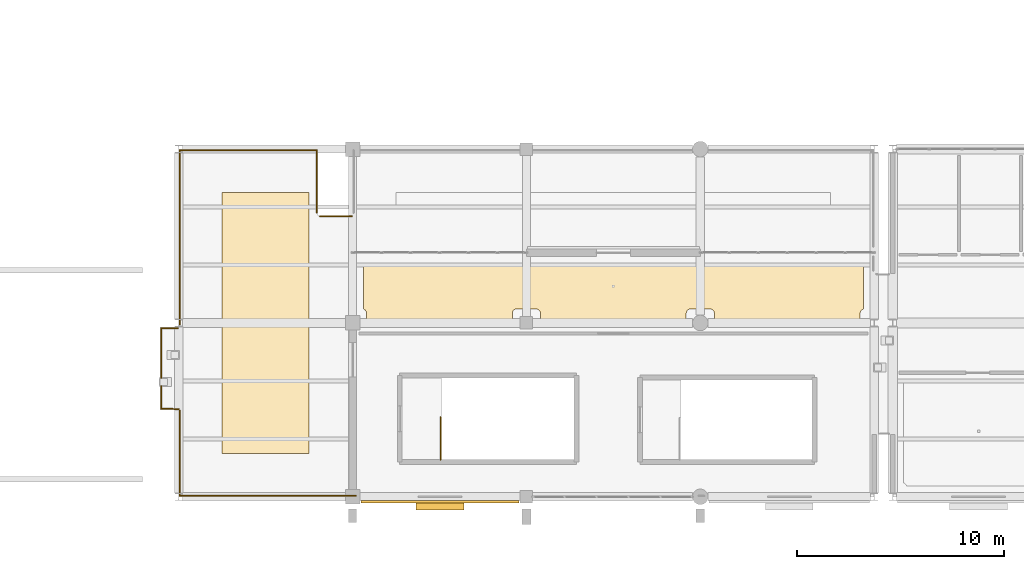
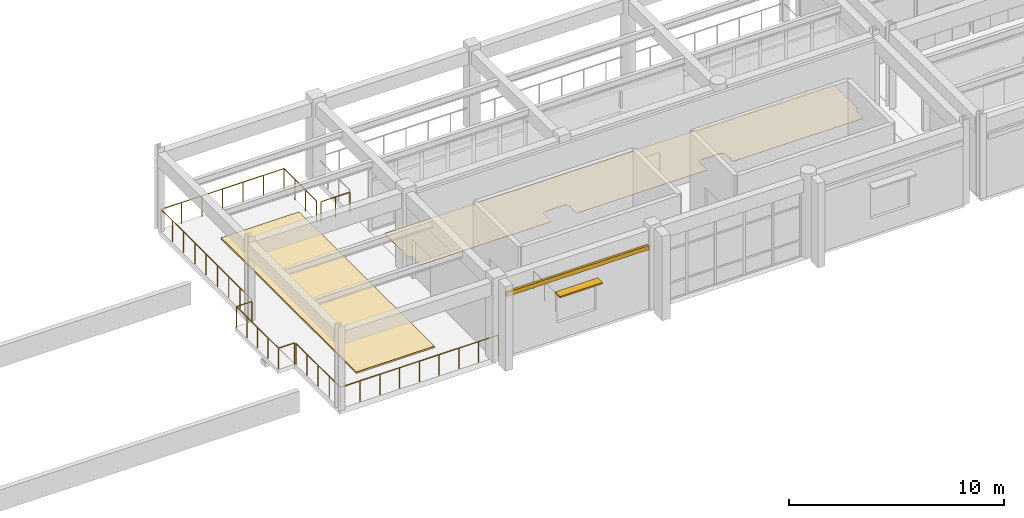
# One storey, part 121 of 139: 10 railings, 3 coverings, 1 shading device.
"""IFC4 building model written with IfcOpenShell, lengths in metres."""

from ifc_helpers import new_model, si_unit, direction, frame, origin, origin_2d, place, context, subcontext, project, spatial, polyline, rectangle, circle, outline, extrude, material, layer, layer_set, type_object, element, save


model = new_model("IFC4")

# Units and contexts
model_context = context("Model", 3, precision=1e-05, world=origin(), true_north=direction((0.0, 1.0)))
body_context = subcontext(model_context, "Body", "Model", "MODEL_VIEW")
ifc_project = project(units=[si_unit("LENGTHUNIT", "METRE"), si_unit("AREAUNIT", "SQUARE_METRE"), si_unit("VOLUMEUNIT", "CUBIC_METRE"), si_unit("PLANEANGLEUNIT", "RADIAN"), si_unit("MASSUNIT", "GRAM", prefix="KILO")], contexts=[model_context])

# Site, building, storey
site_placement = place(None, origin())
site = spatial("IfcSite", under=ifc_project, at=site_placement, CompositionType="ELEMENT")
building_placement = place(site_placement, origin())
building = spatial("IfcBuilding", under=site, at=building_placement, Name="Canglan Escarpment Cableway Terminal", CompositionType="ELEMENT")
storey_placement = place(building_placement, frame((0.0, 0.0, 14.39990234375)))
storey = spatial("IfcBuildingStorey", under=building, at=storey_placement, Name="L03", CompositionType="ELEMENT", Elevation=14.39990234375)

# Coverings
ifc_material_1 = material(Name="Carved classical limestone cornice", Category="masonry")
ifc_layer_1 = layer(ifc_material_1, 0.1201171875, Name="Carved classical limestone cornice")
ifc_layer_set_1 = layer_set([ifc_layer_1], Name="Carved classical limestone cornice")
covering_type_1 = type_object("IfcCoveringType", Name="COV-CORNICE-STONE", PredefinedType="CLADDING", material=ifc_layer_set_1)
covering_1_placement = place(storey_placement, frame((89.625, 7.760009765625, 3.47509765625), z_axis=(0.0, 0.0, 1.0), x_axis=(1.0, 0.0, 0.0)))
element("IfcCovering", 1, at=covering_1_placement, inside=storey, type_object=covering_type_1, Name="Classical carved limestone cornice CL-01", PredefinedType="CLADDING", context=body_context, shape_type="SweptSolid", body=[
    extrude(rectangle(XDim=7.64990234375, YDim=0.1201171875, at=origin_2d()), origin(), (0.0, 0.0, 1.0), 0.239990234375),
])
ifc_material_2 = material(Name="Polished mineral terrazzo flooring", Category="concrete")
ifc_layer_2 = layer(ifc_material_2, 0.02001953125, Name="Polished mineral terrazzo flooring")
ifc_layer_set_2 = layer_set([ifc_layer_2], Name="Polished mineral terrazzo flooring")
covering_type_2 = type_object("IfcCoveringType", Name="COV-FLR-TERRAZZO-20", PredefinedType="FLOORING", material=ifc_layer_set_2)
covering_2_placement = place(storey_placement, origin())
element("IfcCovering", 2, at=covering_2_placement, inside=storey, type_object=covering_type_2, Name="Highland Photography Gallery stone floor finish", PredefinedType="FLOORING", context=body_context, shape_type="SweptSolid", body=[
    extrude(outline(polyline([(85.933349609375, 17.067138671875), (85.931396484375, 17.06787109375), (85.9296875, 17.06884765625), (85.92822265625, 17.06982421875), (85.9267578125, 17.071044921875), (85.92529296875, 17.072265625), (85.92431640625, 17.07373046875), (85.923095703125, 17.0751953125), (85.922119140625, 17.076904296875), (85.92138671875, 17.07861328125), (85.9208984375, 17.080322265625), (85.92041015625, 17.082275390625), (85.920166015625, 17.083984375), (85.919921875, 17.0859375), (85.919921875, 19.260009765625), (85.920166015625, 19.261962890625), (85.92041015625, 19.263916015625), (85.9208984375, 19.265869140625), (85.92138671875, 19.267578125), (85.92236328125, 19.269287109375), (85.92333984375, 19.27099609375), (85.924560546875, 19.272705078125), (85.92578125, 19.274169921875), (85.92724609375, 19.275390625), (85.928955078125, 19.276611328125), (85.9306640625, 19.277587890625), (85.932373046875, 19.278564453125), (85.93408203125, 19.279052734375), (85.93603515625, 19.279541015625), (85.93798828125, 19.27978515625), (85.93994140625, 19.280029296875), (110.06005859375, 19.280029296875), (110.06201171875, 19.27978515625), (110.06396484375, 19.279541015625), (110.06591796875, 19.279052734375), (110.067626953125, 19.278564453125), (110.0693359375, 19.277587890625), (110.071044921875, 19.276611328125), (110.07275390625, 19.275390625), (110.07421875, 19.274169921875), (110.075439453125, 19.272705078125), (110.07666015625, 19.27099609375), (110.07763671875, 19.269287109375), (110.07861328125, 19.267578125), (110.0791015625, 19.265869140625), (110.07958984375, 19.263916015625), (110.079833984375, 19.261962890625), (110.080078125, 19.260009765625), (110.080078125, 17.0859375), (110.079833984375, 17.083984375), (110.07958984375, 17.082275390625), (110.0791015625, 17.080322265625), (110.07861328125, 17.07861328125), (110.077880859375, 17.076904296875), (110.076904296875, 17.0751953125), (110.07568359375, 17.07373046875), (110.07470703125, 17.072265625), (110.0732421875, 17.071044921875), (110.07177734375, 17.06982421875), (110.0703125, 17.06884765625), (110.068603515625, 17.06787109375), (110.066650390625, 17.067138671875), (110.056396484375, 17.0634765625), (110.055419921875, 17.06298828125), (110.03662109375, 17.05419921875), (110.035888671875, 17.0537109375), (110.018310546875, 17.043212890625), (110.017333984375, 17.04248046875), (110.000732421875, 17.030517578125), (110.0, 17.02978515625), (109.98486328125, 17.015869140625), (109.984130859375, 17.01513671875), (109.97021484375, 17.0), (109.969482421875, 16.999267578125), (109.95751953125, 16.982666015625), (109.956787109375, 16.981689453125), (109.9462890625, 16.964111328125), (109.94580078125, 16.96337890625), (109.93701171875, 16.944580078125), (109.9365234375, 16.943603515625), (109.9296875, 16.92431640625), (109.929443359375, 16.92333984375), (109.92431640625, 16.9033203125), (109.92431640625, 16.90234375), (109.921142578125, 16.882080078125), (109.9208984375, 16.881103515625), (109.919921875, 16.860107421875), (109.919921875, 16.85986328125), (109.919921875, 16.239990234375), (109.919921875, 16.238037109375), (109.919677734375, 16.236083984375), (109.919189453125, 16.234130859375), (109.91845703125, 16.232421875), (109.91748046875, 16.230712890625), (109.91650390625, 16.22900390625), (109.91552734375, 16.227294921875), (109.9140625, 16.225830078125), (109.91259765625, 16.224609375), (109.9111328125, 16.223388671875), (109.909423828125, 16.222412109375), (109.90771484375, 16.221435546875), (109.90576171875, 16.220947265625), (109.90380859375, 16.220458984375), (109.902099609375, 16.22021484375), (109.89990234375, 16.219970703125), (102.89990234375, 16.219970703125), (102.89794921875, 16.22021484375), (102.89599609375, 16.220458984375), (102.894287109375, 16.220947265625), (102.892333984375, 16.221435546875), (102.890625, 16.222412109375), (102.888916015625, 16.223388671875), (102.88720703125, 16.224609375), (102.885986328125, 16.225830078125), (102.884521484375, 16.227294921875), (102.88330078125, 16.22900390625), (102.88232421875, 16.230712890625), (102.881591796875, 16.232421875), (102.880859375, 16.234130859375), (102.88037109375, 16.236083984375), (102.880126953125, 16.238037109375), (102.8798828125, 16.239990234375), (102.8798828125, 16.85986328125), (102.8798828125, 16.860107421875), (102.87890625, 16.881103515625), (102.87890625, 16.882080078125), (102.875732421875, 16.90234375), (102.875732421875, 16.9033203125), (102.87060546875, 16.92333984375), (102.870361328125, 16.92431640625), (102.86328125, 16.943603515625), (102.863037109375, 16.944580078125), (102.854248046875, 16.96337890625), (102.853759765625, 16.964111328125), (102.84326171875, 16.981689453125), (102.842529296875, 16.982666015625), (102.830322265625, 16.999267578125), (102.82958984375, 17.0), (102.81591796875, 17.01513671875), (102.815185546875, 17.015869140625), (102.7998046875, 17.02978515625), (102.79931640625, 17.030517578125), (102.78271484375, 17.04248046875), (102.78173828125, 17.043212890625), (102.76416015625, 17.0537109375), (102.76318359375, 17.05419921875), (102.74462890625, 17.06298828125), (102.74365234375, 17.0634765625), (102.724365234375, 17.0703125), (102.723388671875, 17.070556640625), (102.703369140625, 17.07568359375), (102.702392578125, 17.07568359375), (102.681884765625, 17.078857421875), (102.68115234375, 17.0791015625), (102.66015625, 17.080078125), (102.659912109375, 17.080078125), (101.740234375, 17.080078125), (101.73974609375, 17.080078125), (101.718994140625, 17.0791015625), (101.718017578125, 17.078857421875), (101.697509765625, 17.07568359375), (101.696533203125, 17.07568359375), (101.676513671875, 17.070556640625), (101.67578125, 17.0703125), (101.65625, 17.0634765625), (101.655517578125, 17.06298828125), (101.63671875, 17.05419921875), (101.635986328125, 17.0537109375), (101.6181640625, 17.043212890625), (101.617431640625, 17.04248046875), (101.600830078125, 17.030517578125), (101.60009765625, 17.02978515625), (101.584716796875, 17.015869140625), (101.583984375, 17.01513671875), (101.5703125, 17.0), (101.569580078125, 16.999267578125), (101.557373046875, 16.982666015625), (101.556884765625, 16.981689453125), (101.546142578125, 16.964111328125), (101.5458984375, 16.96337890625), (101.537109375, 16.944580078125), (101.53662109375, 16.943603515625), (101.529541015625, 16.92431640625), (101.529296875, 16.92333984375), (101.5244140625, 16.9033203125), (101.524169921875, 16.90234375), (101.52099609375, 16.882080078125), (101.52099609375, 16.881103515625), (101.52001953125, 16.860107421875), (101.52001953125, 16.85986328125), (101.52001953125, 16.239990234375), (101.52001953125, 16.238037109375), (101.51953125, 16.236083984375), (101.51904296875, 16.234130859375), (101.5185546875, 16.232421875), (101.517578125, 16.230712890625), (101.5166015625, 16.22900390625), (101.515380859375, 16.227294921875), (101.51416015625, 16.225830078125), (101.5126953125, 16.224609375), (101.510986328125, 16.223388671875), (101.509521484375, 16.222412109375), (101.5078125, 16.221435546875), (101.505859375, 16.220947265625), (101.50390625, 16.220458984375), (101.501953125, 16.22021484375), (101.5, 16.219970703125), (94.5, 16.219970703125), (94.498046875, 16.22021484375), (94.49609375, 16.220458984375), (94.494140625, 16.220947265625), (94.4921875, 16.221435546875), (94.490478515625, 16.222412109375), (94.489013671875, 16.223388671875), (94.4873046875, 16.224609375), (94.48583984375, 16.225830078125), (94.484619140625, 16.227294921875), (94.4833984375, 16.22900390625), (94.482421875, 16.230712890625), (94.4814453125, 16.232421875), (94.48095703125, 16.234130859375), (94.48046875, 16.236083984375), (94.47998046875, 16.238037109375), (94.47998046875, 16.239990234375), (94.47998046875, 16.85986328125), (94.47998046875, 16.860107421875), (94.47900390625, 16.881103515625), (94.47900390625, 16.882080078125), (94.475830078125, 16.90234375), (94.4755859375, 16.9033203125), (94.470703125, 16.92333984375), (94.470458984375, 16.92431640625), (94.46337890625, 16.943603515625), (94.462890625, 16.944580078125), (94.4541015625, 16.96337890625), (94.453857421875, 16.964111328125), (94.443115234375, 16.981689453125), (94.442626953125, 16.982666015625), (94.430419921875, 16.999267578125), (94.4296875, 17.0), (94.416015625, 17.01513671875), (94.415283203125, 17.015869140625), (94.39990234375, 17.02978515625), (94.399169921875, 17.030517578125), (94.382568359375, 17.04248046875), (94.3818359375, 17.043212890625), (94.364013671875, 17.0537109375), (94.36328125, 17.05419921875), (94.344482421875, 17.06298828125), (94.34375, 17.0634765625), (94.32421875, 17.0703125), (94.323486328125, 17.070556640625), (94.303466796875, 17.07568359375), (94.302490234375, 17.07568359375), (94.281982421875, 17.078857421875), (94.281005859375, 17.0791015625), (94.26025390625, 17.080078125), (94.259765625, 17.080078125), (93.340087890625, 17.080078125), (93.33984375, 17.080078125), (93.31884765625, 17.0791015625), (93.318115234375, 17.078857421875), (93.297607421875, 17.07568359375), (93.296630859375, 17.07568359375), (93.276611328125, 17.070556640625), (93.275634765625, 17.0703125), (93.25634765625, 17.0634765625), (93.25537109375, 17.06298828125), (93.23681640625, 17.05419921875), (93.23583984375, 17.0537109375), (93.21826171875, 17.043212890625), (93.21728515625, 17.04248046875), (93.20068359375, 17.030517578125), (93.2001953125, 17.02978515625), (93.184814453125, 17.015869140625), (93.18408203125, 17.01513671875), (93.17041015625, 17.0), (93.169677734375, 16.999267578125), (93.157470703125, 16.982666015625), (93.15673828125, 16.981689453125), (93.146240234375, 16.964111328125), (93.145751953125, 16.96337890625), (93.136962890625, 16.944580078125), (93.13671875, 16.943603515625), (93.129638671875, 16.92431640625), (93.12939453125, 16.92333984375), (93.124267578125, 16.9033203125), (93.124267578125, 16.90234375), (93.12109375, 16.882080078125), (93.12109375, 16.881103515625), (93.1201171875, 16.860107421875), (93.1201171875, 16.85986328125), (93.1201171875, 16.239990234375), (93.119873046875, 16.238037109375), (93.11962890625, 16.236083984375), (93.119140625, 16.234130859375), (93.118408203125, 16.232421875), (93.11767578125, 16.230712890625), (93.11669921875, 16.22900390625), (93.115478515625, 16.227294921875), (93.114013671875, 16.225830078125), (93.11279296875, 16.224609375), (93.111083984375, 16.223388671875), (93.109375, 16.222412109375), (93.107666015625, 16.221435546875), (93.105712890625, 16.220947265625), (93.10400390625, 16.220458984375), (93.10205078125, 16.22021484375), (93.10009765625, 16.219970703125), (86.10009765625, 16.219970703125), (86.097900390625, 16.22021484375), (86.09619140625, 16.220458984375), (86.09423828125, 16.220947265625), (86.09228515625, 16.221435546875), (86.090576171875, 16.222412109375), (86.0888671875, 16.223388671875), (86.08740234375, 16.224609375), (86.0859375, 16.225830078125), (86.08447265625, 16.227294921875), (86.08349609375, 16.22900390625), (86.08251953125, 16.230712890625), (86.08154296875, 16.232421875), (86.080810546875, 16.234130859375), (86.080322265625, 16.236083984375), (86.080078125, 16.238037109375), (86.080078125, 16.239990234375), (86.080078125, 16.85986328125), (86.080078125, 16.860107421875), (86.0791015625, 16.881103515625), (86.078857421875, 16.882080078125), (86.07568359375, 16.90234375), (86.07568359375, 16.9033203125), (86.070556640625, 16.92333984375), (86.0703125, 16.92431640625), (86.0634765625, 16.943603515625), (86.06298828125, 16.944580078125), (86.05419921875, 16.96337890625), (86.0537109375, 16.964111328125), (86.043212890625, 16.981689453125), (86.04248046875, 16.982666015625), (86.030517578125, 16.999267578125), (86.02978515625, 17.0), (86.015869140625, 17.01513671875), (86.01513671875, 17.015869140625), (86.0, 17.02978515625), (85.999267578125, 17.030517578125), (85.982666015625, 17.04248046875), (85.981689453125, 17.043212890625), (85.964111328125, 17.0537109375), (85.96337890625, 17.05419921875), (85.944580078125, 17.06298828125), (85.943603515625, 17.0634765625), (85.933349609375, 17.067138671875)])), origin(), (0.0, 0.0, 1.0), 0.02001953125),
])
ifc_material_3 = material(Name="Planted extensive sedum green roof assembly", Category="earth")
ifc_layer_3 = layer(ifc_material_3, 0.090087890625, Name="Planted extensive sedum green roof assembly")
ifc_layer_set_3 = layer_set([ifc_layer_3], Name="Planted extensive sedum green roof assembly")
covering_type_3 = type_object("IfcCoveringType", Name="COV-ROOF-GREEN", PredefinedType="ROOFING", material=ifc_layer_set_3)
covering_3_placement = place(storey_placement, frame((81.199951171875, 16.39990234375, 0.0), z_axis=(0.0, 0.0, 1.0), x_axis=(1.0, 0.0, 0.0)))
element("IfcCovering", 3, at=covering_3_placement, inside=storey, type_object=covering_type_3, Name="Planted extensive sedum green roof garden RF-G1", PredefinedType="ROOFING", context=body_context, shape_type="SweptSolid", body=[
    extrude(rectangle(XDim=4.199951171875, YDim=12.60009765625, at=origin_2d()), origin(), (0.0, 0.0, 1.0), 0.090087890625),
])

# Railings
ifc_material_4 = material(Name="Carved limestone and anodized bronze balustrade", Category="masonry")
railing_type_1 = type_object("IfcRailingType", Name="RL-EXT-BALUSTRADE-1200", PredefinedType="BALUSTRADE", material=ifc_material_4)
railing_1_placement = place(storey_placement, frame((76.150146484375, 12.25, 0.0)))
element("IfcRailing", 4, at=railing_1_placement, inside=storey, type_object=railing_type_1, Name="Classical terrace balustrade guard GD-01 (L03)", PredefinedType="BALUSTRADE", context=body_context, shape_type="SweptSolid", body=[
    extrude(circle(Radius=0.02392578125, at=origin_2d()), frame((0.0, 0.0, 1.17578125), z_axis=(-6.2633095e-05, 0.999999998039, 0.0), x_axis=(-0.999999998039, -6.2633095e-05, 0.0)), (0.0, 0.0, 1.0), 3.89794921875),
    extrude(circle(Radius=0.02099609375, at=origin_2d()), origin(), (0.0, 0.0, 1.0), 1.15185546875),
    extrude(circle(Radius=0.02099609375, at=origin_2d()), frame((0.0, 0.974609375, 0.0)), (0.0, 0.0, 1.0), 1.15185546875),
    extrude(circle(Radius=0.02099609375, at=origin_2d()), frame((0.0, 1.948974609375, 0.0)), (0.0, 0.0, 1.0), 1.15185546875),
    extrude(circle(Radius=0.02099609375, at=origin_2d()), frame((-0.000244140625, 2.92333984375, 0.0)), (0.0, 0.0, 1.0), 1.15185546875),
    extrude(circle(Radius=0.02099609375, at=origin_2d()), frame((-0.000244140625, 3.89794921875, 0.0)), (0.0, 0.0, 1.0), 1.15185546875),
])
railing_2_placement = place(storey_placement, frame((76.14990234375, 16.14794921875, 0.0)))
element("IfcRailing", 5, at=railing_2_placement, inside=storey, type_object=railing_type_1, Name="Classical terrace balustrade guard GD-01 (L03)", PredefinedType="BALUSTRADE", context=body_context, shape_type="SweptSolid", body=[
    extrude(circle(Radius=0.02392578125, at=origin_2d()), frame((0.0, 0.0, 1.17578125), z_axis=(0.999997163857, 0.002381654454, 0.0), x_axis=(-0.002381654454, 0.999997163857, 0.0)), (0.0, 0.0, 1.0), 0.820068359375),
    extrude(circle(Radius=0.02099609375, at=origin_2d()), origin(), (0.0, 0.0, 1.0), 1.15185546875),
    extrude(circle(Radius=0.02099609375, at=origin_2d()), frame((0.820068359375, 0.001953125, 0.0)), (0.0, 0.0, 1.0), 1.15185546875),
])
railing_3_placement = place(storey_placement, frame((77.050048828125, 16.330078125, 0.0)))
element("IfcRailing", 6, at=railing_3_placement, inside=storey, type_object=railing_type_1, Name="Classical terrace balustrade guard GD-01 (L03)", PredefinedType="BALUSTRADE", context=body_context, shape_type="SweptSolid", body=[
    extrude(circle(Radius=0.02392578125, at=origin_2d()), frame((0.0, 0.0, 1.17578125), z_axis=(0.0, 1.0, 0.0), x_axis=(-1.0, 0.0, 0.0)), (0.0, 0.0, 1.0), 8.41796875),
    extrude(circle(Radius=0.02099609375, at=origin_2d()), origin(), (0.0, 0.0, 1.0), 1.15185546875),
    extrude(circle(Radius=0.02099609375, at=origin_2d()), frame((0.0, 1.05224609375, 0.0)), (0.0, 0.0, 1.0), 1.15185546875),
    extrude(circle(Radius=0.02099609375, at=origin_2d()), frame((0.0, 2.1044921875, 0.0)), (0.0, 0.0, 1.0), 1.15185546875),
    extrude(circle(Radius=0.02099609375, at=origin_2d()), frame((0.0, 3.15673828125, 0.0)), (0.0, 0.0, 1.0), 1.15185546875),
    extrude(circle(Radius=0.02099609375, at=origin_2d()), frame((0.0, 4.208984375, 0.0)), (0.0, 0.0, 1.0), 1.15185546875),
    extrude(circle(Radius=0.02099609375, at=origin_2d()), frame((0.0, 5.26123046875, 0.0)), (0.0, 0.0, 1.0), 1.15185546875),
    extrude(circle(Radius=0.02099609375, at=origin_2d()), frame((0.0, 6.3134765625, 0.0)), (0.0, 0.0, 1.0), 1.15185546875),
    extrude(circle(Radius=0.02099609375, at=origin_2d()), frame((0.0, 7.36572265625, 0.0)), (0.0, 0.0, 1.0), 1.15185546875),
    extrude(circle(Radius=0.02099609375, at=origin_2d()), frame((0.0, 8.41796875, 0.0)), (0.0, 0.0, 1.0), 1.15185546875),
])
railing_4_placement = place(storey_placement, frame((77.050048828125, 24.748046875, 0.0)))
element("IfcRailing", 7, at=railing_4_placement, inside=storey, type_object=railing_type_1, Name="Classical terrace balustrade guard GD-01 (L03)", PredefinedType="BALUSTRADE", context=body_context, shape_type="SweptSolid", body=[
    extrude(circle(Radius=0.02392578125, at=origin_2d()), frame((0.0, 0.0, 1.17578125), z_axis=(0.99999995645, 0.000295126707, 0.0), x_axis=(-0.000295126707, 0.99999995645, 0.0)), (0.0, 0.0, 1.0), 6.617919921875),
    extrude(circle(Radius=0.02099609375, at=origin_2d()), origin(), (0.0, 0.0, 1.0), 1.15185546875),
    extrude(circle(Radius=0.02099609375, at=origin_2d()), frame((1.10302734375, 0.000244140625, 0.0)), (0.0, 0.0, 1.0), 1.15185546875),
    extrude(circle(Radius=0.02099609375, at=origin_2d()), frame((2.2060546875, 0.000732421875, 0.0)), (0.0, 0.0, 1.0), 1.15185546875),
    extrude(circle(Radius=0.02099609375, at=origin_2d()), frame((3.30908203125, 0.0009765625, 0.0)), (0.0, 0.0, 1.0), 1.15185546875),
    extrude(circle(Radius=0.02099609375, at=origin_2d()), frame((4.411865234375, 0.001220703125, 0.0)), (0.0, 0.0, 1.0), 1.15185546875),
    extrude(circle(Radius=0.02099609375, at=origin_2d()), frame((5.514892578125, 0.001708984375, 0.0)), (0.0, 0.0, 1.0), 1.15185546875),
    extrude(circle(Radius=0.02099609375, at=origin_2d()), frame((6.617919921875, 0.001953125, 0.0)), (0.0, 0.0, 1.0), 1.15185546875),
])
railing_5_placement = place(storey_placement, frame((83.66796875, 24.75, 0.0)))
element("IfcRailing", 8, at=railing_5_placement, inside=storey, type_object=railing_type_1, Name="Classical terrace balustrade guard GD-01 (L03)", PredefinedType="BALUSTRADE", context=body_context, shape_type="SweptSolid", body=[
    extrude(circle(Radius=0.02392578125, at=origin_2d()), frame((0.0, 0.0, 1.17578125), z_axis=(0.000646725815, -0.999999790873, 0.0), x_axis=(0.999999790873, 0.000646725815, 0.0)), (0.0, 0.0, 1.0), 3.02001953125),
    extrude(circle(Radius=0.02099609375, at=origin_2d()), origin(), (0.0, 0.0, 1.0), 1.15185546875),
    extrude(circle(Radius=0.02099609375, at=origin_2d()), frame((0.000732421875, -1.006591796875, 0.0)), (0.0, 0.0, 1.0), 1.15185546875),
    extrude(circle(Radius=0.02099609375, at=origin_2d()), frame((0.001220703125, -2.013427734375, 0.0)), (0.0, 0.0, 1.0), 1.15185546875),
    extrude(circle(Radius=0.02099609375, at=origin_2d()), frame((0.001953125, -3.02001953125, 0.0)), (0.0, 0.0, 1.0), 1.15185546875),
])
railing_6_placement = place(storey_placement, frame((83.8193359375, 21.55615234375, 0.0)))
element("IfcRailing", 9, at=railing_6_placement, inside=storey, type_object=railing_type_1, Name="Classical terrace balustrade guard GD-01 (L03)", PredefinedType="BALUSTRADE", context=body_context, shape_type="SweptSolid", body=[
    extrude(circle(Radius=0.02392578125, at=origin_2d()), frame((0.0, 0.0, 1.17578125), z_axis=(0.999992254954, -0.003935737779, 0.0), x_axis=(0.003935737779, 0.999992254954, 0.0)), (0.0, 0.0, 1.0), 1.55078125),
    extrude(circle(Radius=0.02099609375, at=origin_2d()), origin(), (0.0, 0.0, 1.0), 1.15185546875),
    extrude(circle(Radius=0.02099609375, at=origin_2d()), frame((0.775390625, -0.0029296875, 0.0)), (0.0, 0.0, 1.0), 1.15185546875),
    extrude(circle(Radius=0.02099609375, at=origin_2d()), frame((1.55078125, -0.006103515625, 0.0)), (0.0, 0.0, 1.0), 1.15185546875),
])
railing_7_placement = place(storey_placement, frame((85.56005859375, 8.050048828125, 0.0)))
element("IfcRailing", 10, at=railing_7_placement, inside=storey, type_object=railing_type_1, Name="Classical terrace balustrade guard GD-01 (L03)", PredefinedType="BALUSTRADE", context=body_context, shape_type="SweptSolid", body=[
    extrude(circle(Radius=0.02392578125, at=origin_2d()), frame((0.0, 0.0, 1.17578125), z_axis=(-1.0, 0.0, 0.0), x_axis=(0.0, -1.0, 0.0)), (0.0, 0.0, 1.0), 8.508056640625),
    extrude(circle(Radius=0.02099609375, at=origin_2d()), origin(), (0.0, 0.0, 1.0), 1.15185546875),
    extrude(circle(Radius=0.02099609375, at=origin_2d()), frame((-1.0634765625, 0.0, 0.0)), (0.0, 0.0, 1.0), 1.15185546875),
    extrude(circle(Radius=0.02099609375, at=origin_2d()), frame((-2.126953125, 0.0, 0.0)), (0.0, 0.0, 1.0), 1.15185546875),
    extrude(circle(Radius=0.02099609375, at=origin_2d()), frame((-3.1904296875, 0.0, 0.0)), (0.0, 0.0, 1.0), 1.15185546875),
    extrude(circle(Radius=0.02099609375, at=origin_2d()), frame((-4.25390625, 0.0, 0.0)), (0.0, 0.0, 1.0), 1.15185546875),
    extrude(circle(Radius=0.02099609375, at=origin_2d()), frame((-5.317626953125, 0.0, 0.0)), (0.0, 0.0, 1.0), 1.15185546875),
    extrude(circle(Radius=0.02099609375, at=origin_2d()), frame((-6.381103515625, 0.0, 0.0)), (0.0, 0.0, 1.0), 1.15185546875),
    extrude(circle(Radius=0.02099609375, at=origin_2d()), frame((-7.444580078125, 0.0, 0.0)), (0.0, 0.0, 1.0), 1.15185546875),
    extrude(circle(Radius=0.02099609375, at=origin_2d()), frame((-8.508056640625, 0.0, 0.0)), (0.0, 0.0, 1.0), 1.15185546875),
])
railing_8_placement = place(storey_placement, frame((77.052001953125, 8.050048828125, 0.0)))
element("IfcRailing", 11, at=railing_8_placement, inside=storey, type_object=railing_type_1, Name="Classical terrace balustrade guard GD-01 (L03)", PredefinedType="BALUSTRADE", context=body_context, shape_type="SweptSolid", body=[
    extrude(circle(Radius=0.02392578125, at=origin_2d()), frame((0.0, 0.0, 1.17578125), z_axis=(-0.000474074021, 0.999999887627, 0.0), x_axis=(-0.999999887627, -0.000474074021, 0.0)), (0.0, 0.0, 1.0), 4.119873046875),
    extrude(circle(Radius=0.02099609375, at=origin_2d()), origin(), (0.0, 0.0, 1.0), 1.15185546875),
    extrude(circle(Radius=0.02099609375, at=origin_2d()), frame((-0.00048828125, 1.030029296875, 0.0)), (0.0, 0.0, 1.0), 1.15185546875),
    extrude(circle(Radius=0.02099609375, at=origin_2d()), frame((-0.0009765625, 2.06005859375, 0.0)), (0.0, 0.0, 1.0), 1.15185546875),
    extrude(circle(Radius=0.02099609375, at=origin_2d()), frame((-0.00146484375, 3.08984375, 0.0)), (0.0, 0.0, 1.0), 1.15185546875),
    extrude(circle(Radius=0.02099609375, at=origin_2d()), frame((-0.001953125, 4.119873046875, 0.0)), (0.0, 0.0, 1.0), 1.15185546875),
])
railing_9_placement = place(storey_placement, frame((77.0078125, 12.240478515625, 0.0)))
element("IfcRailing", 12, at=railing_9_placement, inside=storey, type_object=railing_type_1, Name="Classical terrace balustrade guard GD-01 (L03)", PredefinedType="BALUSTRADE", context=body_context, shape_type="SweptSolid", body=[
    extrude(circle(Radius=0.02392578125, at=origin_2d()), frame((0.0, 0.0, 1.17578125), z_axis=(-0.999938101112, 0.011126272737, 0.0), x_axis=(-0.011126272737, -0.999938101112, 0.0)), (0.0, 0.0, 1.0), 0.855712890625),
    extrude(circle(Radius=0.02099609375, at=origin_2d()), origin(), (0.0, 0.0, 1.0), 1.15185546875),
    extrude(circle(Radius=0.02099609375, at=origin_2d()), frame((-0.855712890625, 0.009521484375, 0.0)), (0.0, 0.0, 1.0), 1.15185546875),
])
ifc_material_5 = material(Name="Powder-coated steel stair balustrade", Category="steel")
railing_type_2 = type_object("IfcRailingType", Name="RL-STR-GUARD-1100", PredefinedType="BALUSTRADE", material=ifc_material_5)
railing_10_placement = place(storey_placement, frame((89.64990234375, 9.800048828125, 0.0)))
element("IfcRailing", 13, at=railing_10_placement, inside=storey, type_object=railing_type_2, Name="L03 ST-06 top well guard 1", PredefinedType="BALUSTRADE", context=body_context, shape_type="SweptSolid", body=[
    extrude(circle(Radius=0.02392578125, at=origin_2d()), frame((0.0, 0.0, 1.076171875), z_axis=(0.0, 1.0, 0.0), x_axis=(-1.0, 0.0, 0.0)), (0.0, 0.0, 1.0), 2.050048828125),
    extrude(circle(Radius=0.02099609375, at=origin_2d()), origin(), (0.0, 0.0, 1.0), 1.052001953125),
    extrude(circle(Radius=0.02099609375, at=origin_2d()), frame((0.0, 1.02490234375, 0.0)), (0.0, 0.0, 1.0), 1.052001953125),
    extrude(circle(Radius=0.02099609375, at=origin_2d()), frame((0.0, 2.050048828125, 0.0)), (0.0, 0.0, 1.0), 1.052001953125),
])

# Shading device
ifc_material_6 = material(Name="Anodized architectural bronze aluminium", Category="aluminium")
ifc_layer_4 = layer(ifc_material_6, 0.10009765625, Name="Anodized architectural bronze aluminium")
ifc_layer_set_4 = layer_set([ifc_layer_4], Name="Anodized architectural bronze aluminium")
shading_device_type = type_object("IfcShadingDeviceType", Name="SHD-BRONZE-LOUVRE-02", PredefinedType="JALOUSIE", material=ifc_layer_set_4)
shading_device_placement = place(storey_placement, frame((89.625, 7.594970703125, 2.670166015625), z_axis=(0.0, 0.0, 1.0), x_axis=(1.0, 0.0, 0.0)))
element("IfcShadingDevice", 14, at=shading_device_placement, inside=storey, type_object=shading_device_type, Name="Anodized bronze sun-shading brise-soleil SD-01", PredefinedType="JALOUSIE", context=body_context, shape_type="SweptSolid", body=[
    extrude(rectangle(XDim=2.300048828125, YDim=0.449951171875, at=origin_2d()), origin(), (0.0, 0.0, 1.0), 0.080078125),
])

save(model, "model.ifc")
